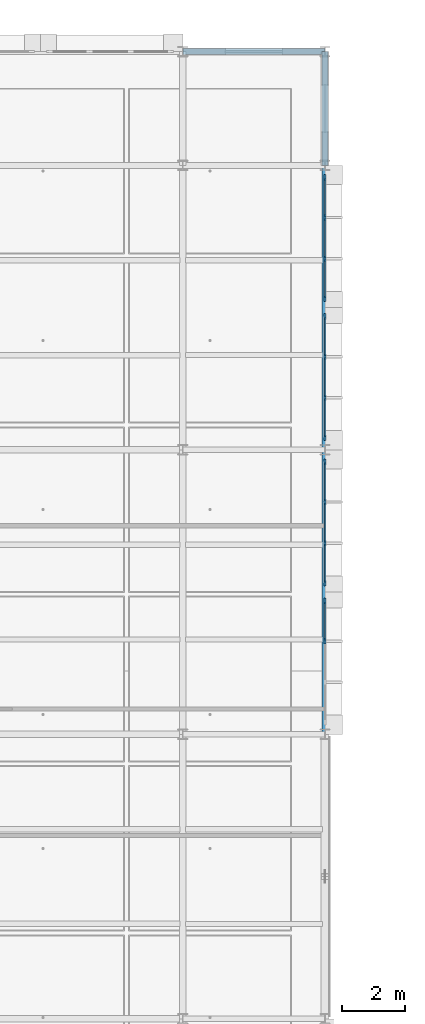
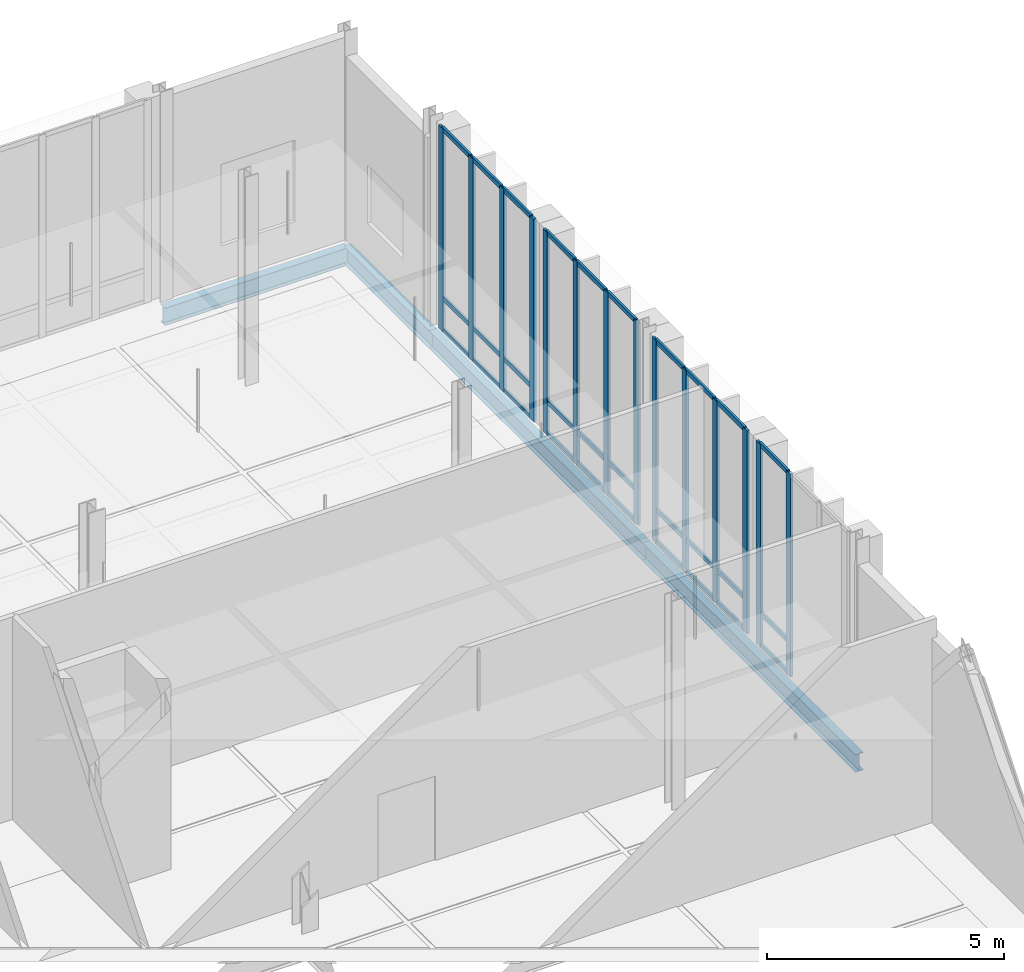
# One storey, part 69 of 180: 44 members, 4 beams, 4 elements without a shape of their own.
"""IFC4 building model written with IfcOpenShell, lengths in metres."""

from ifc_helpers import new_model, si_unit, direction, frame, origin, origin_2d, place, context, subcontext, project, spatial, rectangle, i_section, extrude, material, material_profile, profile_set, type_object, element, aggregate, save


model = new_model("IFC4")

# Units and contexts
model_context = context("Model", 3, precision=1e-05, world=origin(), true_north=direction((0.0, 1.0)))
body_context = subcontext(model_context, "Body", "Model", "MODEL_VIEW")
ifc_project = project(units=[si_unit("LENGTHUNIT", "METRE"), si_unit("AREAUNIT", "SQUARE_METRE"), si_unit("VOLUMEUNIT", "CUBIC_METRE"), si_unit("PLANEANGLEUNIT", "RADIAN"), si_unit("MASSUNIT", "GRAM", prefix="KILO"), si_unit("THERMODYNAMICTEMPERATUREUNIT", "KELVIN"), si_unit("POWERUNIT", "WATT")], contexts=[model_context])

# Site, building, storey
site_placement = place(None, origin())
site = spatial("IfcSite", under=ifc_project, at=site_placement, CompositionType="ELEMENT")
building_placement = place(site_placement, origin())
building = spatial("IfcBuilding", under=site, at=building_placement, Name="Tallowbark Science Centre", CompositionType="ELEMENT")
storey_placement = place(building_placement, origin())
storey = spatial("IfcBuildingStorey", under=building, at=storey_placement, Name="L00", CompositionType="ELEMENT", Elevation=0.0)

# Curtain wall, members
ifc_material_1 = material(Name="Unitised Thermally Broken Aluminium and Low-E Double Glazing", Category="aluminium")
curtain_wall_type = type_object("IfcCurtainWallType", Name="CW-SYS-FACADE", PredefinedType="NOTDEFINED", material=ifc_material_1)
curtain_wall_1_placement = place(storey_placement, origin())
curtain_wall_1 = element("IfcCurtainWall", 1, at=curtain_wall_1_placement, inside=storey, type_object=curtain_wall_type, Name="Unitised Curtain Wall OBS-E-90A CW-L00-108", PredefinedType="NOTDEFINED")
ifc_material_2 = material(Name="Anodised Architectural Aluminium Alloy 6063-T6", Category="aluminium")
ifc_material_profile_1 = material_profile(ifc_material_2, rectangle(XDim=0.06494140625, YDim=0.179931640625, at=origin_2d()), Name="ALU65x180")
ifc_profile_set_1 = profile_set([ifc_material_profile_1], Name="Anodised Architectural Aluminium Alloy 6063-T6")
member_type_1 = type_object("IfcMemberType", Name="CWM-MUL-220", PredefinedType="MULLION", material=ifc_profile_set_1)
member_1_placement = place(storey_placement, frame((162.0, 92.949951171875, 0.0), z_axis=(0.0, 0.0, 1.0), x_axis=(-1.0, 0.0, 0.0)))
member_1 = element("IfcMember", 2, at=member_1_placement, type_object=member_type_1, Name="CW-01 mullion 3", PredefinedType="MULLION", context=body_context, shape_type="SweptSolid", body=[
    extrude(rectangle(XDim=0.06494140625, YDim=0.179931640625, at=origin_2d()), origin(), (0.0, 0.0, 1.0), 5.219970703125),
])
member_2_placement = place(storey_placement, frame((162.0, 94.217529296875, 0.0), z_axis=(0.0, 0.0, 1.0), x_axis=(-1.0, 0.0, 0.0)))
member_2 = element("IfcMember", 3, at=member_2_placement, type_object=member_type_1, Name="CW-01 mullion 4", PredefinedType="MULLION", context=body_context, shape_type="SweptSolid", body=[
    extrude(rectangle(XDim=0.06494140625, YDim=0.179931640625, at=origin_2d()), origin(), (0.0, 0.0, 1.0), 5.219970703125),
])

curtain_wall_2_placement = place(storey_placement, origin())
curtain_wall_2 = element("IfcCurtainWall", 4, at=curtain_wall_2_placement, inside=storey, type_object=curtain_wall_type, Name="Unitised Curtain Wall OBS-E-90B CW-L00-109", PredefinedType="NOTDEFINED")
member_3_placement = place(storey_placement, frame((162.0, 94.782470703125, 0.0), z_axis=(0.0, 0.0, 1.0), x_axis=(-1.0, 0.0, 0.0)))
member_3 = element("IfcMember", 5, at=member_3_placement, type_object=member_type_1, Name="CW-01 mullion 1", PredefinedType="MULLION", context=body_context, shape_type="SweptSolid", body=[
    extrude(rectangle(XDim=0.06494140625, YDim=0.179931640625, at=origin_2d()), origin(), (0.0, 0.0, 1.0), 5.219970703125),
])
member_4_placement = place(storey_placement, frame((162.0, 96.050048828125, 0.0), z_axis=(0.0, 0.0, 1.0), x_axis=(-1.0, 0.0, 0.0)))
member_4 = element("IfcMember", 6, at=member_4_placement, type_object=member_type_1, Name="CW-01 mullion 2", PredefinedType="MULLION", context=body_context, shape_type="SweptSolid", body=[
    extrude(rectangle(XDim=0.06494140625, YDim=0.179931640625, at=origin_2d()), origin(), (0.0, 0.0, 1.0), 5.219970703125),
])
member_5_placement = place(storey_placement, frame((162.0, 97.35009765625, 0.0), z_axis=(0.0, 0.0, 1.0), x_axis=(-1.0, 0.0, 0.0)))
member_5 = element("IfcMember", 7, at=member_5_placement, type_object=member_type_1, Name="CW-01 mullion 3", PredefinedType="MULLION", context=body_context, shape_type="SweptSolid", body=[
    extrude(rectangle(XDim=0.06494140625, YDim=0.179931640625, at=origin_2d()), origin(), (0.0, 0.0, 1.0), 5.219970703125),
])
member_6_placement = place(storey_placement, frame((162.0, 98.617431640625, 0.0), z_axis=(0.0, 0.0, 1.0), x_axis=(-1.0, 0.0, 0.0)))
member_6 = element("IfcMember", 8, at=member_6_placement, type_object=member_type_1, Name="CW-01 mullion 4", PredefinedType="MULLION", context=body_context, shape_type="SweptSolid", body=[
    extrude(rectangle(XDim=0.06494140625, YDim=0.179931640625, at=origin_2d()), origin(), (0.0, 0.0, 1.0), 5.219970703125),
])

curtain_wall_3_placement = place(storey_placement, origin())
curtain_wall_3 = element("IfcCurtainWall", 9, at=curtain_wall_3_placement, inside=storey, type_object=curtain_wall_type, Name="Unitised Curtain Wall OBS-E-99A CW-L00-110", PredefinedType="NOTDEFINED")
member_7_placement = place(storey_placement, frame((162.0, 99.382568359375, 0.0), z_axis=(0.0, 0.0, 1.0), x_axis=(-1.0, 0.0, 0.0)))
member_7 = element("IfcMember", 10, at=member_7_placement, type_object=member_type_1, Name="CW-01 mullion 1", PredefinedType="MULLION", context=body_context, shape_type="SweptSolid", body=[
    extrude(rectangle(XDim=0.06494140625, YDim=0.179931640625, at=origin_2d()), origin(), (0.0, 0.0, 1.0), 5.219970703125),
])
member_8_placement = place(storey_placement, frame((162.0, 100.64990234375, 0.0), z_axis=(0.0, 0.0, 1.0), x_axis=(-1.0, 0.0, 0.0)))
member_8 = element("IfcMember", 11, at=member_8_placement, type_object=member_type_1, Name="CW-01 mullion 2", PredefinedType="MULLION", context=body_context, shape_type="SweptSolid", body=[
    extrude(rectangle(XDim=0.06494140625, YDim=0.179931640625, at=origin_2d()), origin(), (0.0, 0.0, 1.0), 5.219970703125),
])
member_9_placement = place(storey_placement, frame((162.0, 101.949951171875, 0.0), z_axis=(0.0, 0.0, 1.0), x_axis=(-1.0, 0.0, 0.0)))
member_9 = element("IfcMember", 12, at=member_9_placement, type_object=member_type_1, Name="CW-01 mullion 3", PredefinedType="MULLION", context=body_context, shape_type="SweptSolid", body=[
    extrude(rectangle(XDim=0.06494140625, YDim=0.179931640625, at=origin_2d()), origin(), (0.0, 0.0, 1.0), 5.219970703125),
])
member_10_placement = place(storey_placement, frame((162.0, 103.217529296875, 0.0), z_axis=(0.0, 0.0, 1.0), x_axis=(-1.0, 0.0, 0.0)))
member_10 = element("IfcMember", 13, at=member_10_placement, type_object=member_type_1, Name="CW-01 mullion 4", PredefinedType="MULLION", context=body_context, shape_type="SweptSolid", body=[
    extrude(rectangle(XDim=0.06494140625, YDim=0.179931640625, at=origin_2d()), origin(), (0.0, 0.0, 1.0), 5.219970703125),
])

curtain_wall_4_placement = place(storey_placement, origin())
curtain_wall_4 = element("IfcCurtainWall", 14, at=curtain_wall_4_placement, inside=storey, type_object=curtain_wall_type, Name="Unitised Curtain Wall OBS-E-99B CW-L00-111", PredefinedType="NOTDEFINED")
member_11_placement = place(storey_placement, frame((162.0, 103.782470703125, 0.0), z_axis=(0.0, 0.0, 1.0), x_axis=(-1.0, 0.0, 0.0)))
member_11 = element("IfcMember", 15, at=member_11_placement, type_object=member_type_1, Name="CW-01 mullion 1", PredefinedType="MULLION", context=body_context, shape_type="SweptSolid", body=[
    extrude(rectangle(XDim=0.06494140625, YDim=0.179931640625, at=origin_2d()), origin(), (0.0, 0.0, 1.0), 5.219970703125),
])
member_12_placement = place(storey_placement, frame((162.0, 105.050048828125, 0.0), z_axis=(0.0, 0.0, 1.0), x_axis=(-1.0, 0.0, 0.0)))
member_12 = element("IfcMember", 16, at=member_12_placement, type_object=member_type_1, Name="CW-01 mullion 2", PredefinedType="MULLION", context=body_context, shape_type="SweptSolid", body=[
    extrude(rectangle(XDim=0.06494140625, YDim=0.179931640625, at=origin_2d()), origin(), (0.0, 0.0, 1.0), 5.219970703125),
])
member_13_placement = place(storey_placement, frame((162.0, 106.35009765625, 0.0), z_axis=(0.0, 0.0, 1.0), x_axis=(-1.0, 0.0, 0.0)))
member_13 = element("IfcMember", 17, at=member_13_placement, type_object=member_type_1, Name="CW-01 mullion 3", PredefinedType="MULLION", context=body_context, shape_type="SweptSolid", body=[
    extrude(rectangle(XDim=0.06494140625, YDim=0.179931640625, at=origin_2d()), origin(), (0.0, 0.0, 1.0), 5.219970703125),
])
member_14_placement = place(storey_placement, frame((162.0, 107.617431640625, 0.0), z_axis=(0.0, 0.0, 1.0), x_axis=(-1.0, 0.0, 0.0)))
member_14 = element("IfcMember", 18, at=member_14_placement, type_object=member_type_1, Name="CW-01 mullion 4", PredefinedType="MULLION", context=body_context, shape_type="SweptSolid", body=[
    extrude(rectangle(XDim=0.06494140625, YDim=0.179931640625, at=origin_2d()), origin(), (0.0, 0.0, 1.0), 5.219970703125),
])

# Member
ifc_material_profile_2 = material_profile(ifc_material_2, rectangle(XDim=0.054931640625, YDim=0.1201171875, at=origin_2d()), Name="ALU55x120")
ifc_profile_set_2 = profile_set([ifc_material_profile_2], Name="Anodised Architectural Aluminium Alloy 6063-T6")
member_type_2 = type_object("IfcMemberType", Name="CWM-TRN-150", PredefinedType="USERDEFINED", material=ifc_profile_set_2)
member_15_placement = place(storey_placement, frame((162.0, 92.982421875, 0.027587890625), z_axis=(0.0, 1.0, 0.0), x_axis=(-1.0, 0.0, 0.0)))
member_15 = element("IfcMember", 19, at=member_15_placement, type_object=member_type_2, Name="CW-01 transom 3.1", ObjectType="TRANSOM", PredefinedType="USERDEFINED", context=body_context, shape_type="SweptSolid", body=[
    extrude(rectangle(XDim=0.054931640625, YDim=0.1201171875, at=origin_2d()), origin(), (0.0, 0.0, 1.0), 1.20263671875),
])

member_16_placement = place(storey_placement, frame((162.0, 92.982421875, 0.85009765625), z_axis=(0.0, 1.0, 0.0), x_axis=(-1.0, 0.0, 0.0)))
member_16 = element("IfcMember", 20, at=member_16_placement, type_object=member_type_2, Name="CW-01 transom 3.2", ObjectType="TRANSOM", PredefinedType="USERDEFINED", context=body_context, shape_type="SweptSolid", body=[
    extrude(rectangle(XDim=0.054931640625, YDim=0.1201171875, at=origin_2d()), origin(), (0.0, 0.0, 1.0), 1.20263671875),
])

member_17_placement = place(storey_placement, frame((162.0, 92.982421875, 5.1923828125), z_axis=(0.0, 1.0, 0.0), x_axis=(-1.0, 0.0, 0.0)))
member_17 = element("IfcMember", 21, at=member_17_placement, type_object=member_type_2, Name="CW-01 transom 3.3", ObjectType="TRANSOM", PredefinedType="USERDEFINED", context=body_context, shape_type="SweptSolid", body=[
    extrude(rectangle(XDim=0.054931640625, YDim=0.1201171875, at=origin_2d()), origin(), (0.0, 0.0, 1.0), 1.20263671875),
])

aggregate(curtain_wall_1, [member_1, member_2, member_15, member_16, member_17])

member_18_placement = place(storey_placement, frame((162.0, 94.81494140625, 0.027587890625), z_axis=(0.0, 1.0, 0.0), x_axis=(-1.0, 0.0, 0.0)))
member_18 = element("IfcMember", 22, at=member_18_placement, type_object=member_type_2, Name="CW-01 transom 1.1", ObjectType="TRANSOM", PredefinedType="USERDEFINED", context=body_context, shape_type="SweptSolid", body=[
    extrude(rectangle(XDim=0.054931640625, YDim=0.1201171875, at=origin_2d()), origin(), (0.0, 0.0, 1.0), 1.20263671875),
])

member_19_placement = place(storey_placement, frame((162.0, 94.81494140625, 0.85009765625), z_axis=(0.0, 1.0, 0.0), x_axis=(-1.0, 0.0, 0.0)))
member_19 = element("IfcMember", 23, at=member_19_placement, type_object=member_type_2, Name="CW-01 transom 1.2", ObjectType="TRANSOM", PredefinedType="USERDEFINED", context=body_context, shape_type="SweptSolid", body=[
    extrude(rectangle(XDim=0.054931640625, YDim=0.1201171875, at=origin_2d()), origin(), (0.0, 0.0, 1.0), 1.20263671875),
])

member_20_placement = place(storey_placement, frame((162.0, 94.81494140625, 5.1923828125), z_axis=(0.0, 1.0, 0.0), x_axis=(-1.0, 0.0, 0.0)))
member_20 = element("IfcMember", 24, at=member_20_placement, type_object=member_type_2, Name="CW-01 transom 1.3", ObjectType="TRANSOM", PredefinedType="USERDEFINED", context=body_context, shape_type="SweptSolid", body=[
    extrude(rectangle(XDim=0.054931640625, YDim=0.1201171875, at=origin_2d()), origin(), (0.0, 0.0, 1.0), 1.20263671875),
])

member_21_placement = place(storey_placement, frame((162.0, 96.08251953125, 0.027587890625), z_axis=(0.0, 1.0, 0.0), x_axis=(-1.0, 0.0, 0.0)))
member_21 = element("IfcMember", 25, at=member_21_placement, type_object=member_type_2, Name="CW-01 transom 2.1", ObjectType="TRANSOM", PredefinedType="USERDEFINED", context=body_context, shape_type="SweptSolid", body=[
    extrude(rectangle(XDim=0.054931640625, YDim=0.1201171875, at=origin_2d()), origin(), (0.0, 0.0, 1.0), 1.23486328125),
])

member_22_placement = place(storey_placement, frame((162.0, 96.08251953125, 0.85009765625), z_axis=(0.0, 1.0, 0.0), x_axis=(-1.0, 0.0, 0.0)))
member_22 = element("IfcMember", 26, at=member_22_placement, type_object=member_type_2, Name="CW-01 transom 2.2", ObjectType="TRANSOM", PredefinedType="USERDEFINED", context=body_context, shape_type="SweptSolid", body=[
    extrude(rectangle(XDim=0.054931640625, YDim=0.1201171875, at=origin_2d()), origin(), (0.0, 0.0, 1.0), 1.23486328125),
])

member_23_placement = place(storey_placement, frame((162.0, 96.08251953125, 5.1923828125), z_axis=(0.0, 1.0, 0.0), x_axis=(-1.0, 0.0, 0.0)))
member_23 = element("IfcMember", 27, at=member_23_placement, type_object=member_type_2, Name="CW-01 transom 2.3", ObjectType="TRANSOM", PredefinedType="USERDEFINED", context=body_context, shape_type="SweptSolid", body=[
    extrude(rectangle(XDim=0.054931640625, YDim=0.1201171875, at=origin_2d()), origin(), (0.0, 0.0, 1.0), 1.23486328125),
])

member_24_placement = place(storey_placement, frame((162.0, 97.382568359375, 0.027587890625), z_axis=(0.0, 1.0, 0.0), x_axis=(-1.0, 0.0, 0.0)))
member_24 = element("IfcMember", 28, at=member_24_placement, type_object=member_type_2, Name="CW-01 transom 3.1", ObjectType="TRANSOM", PredefinedType="USERDEFINED", context=body_context, shape_type="SweptSolid", body=[
    extrude(rectangle(XDim=0.054931640625, YDim=0.1201171875, at=origin_2d()), origin(), (0.0, 0.0, 1.0), 1.202392578125),
])

member_25_placement = place(storey_placement, frame((162.0, 97.382568359375, 0.85009765625), z_axis=(0.0, 1.0, 0.0), x_axis=(-1.0, 0.0, 0.0)))
member_25 = element("IfcMember", 29, at=member_25_placement, type_object=member_type_2, Name="CW-01 transom 3.2", ObjectType="TRANSOM", PredefinedType="USERDEFINED", context=body_context, shape_type="SweptSolid", body=[
    extrude(rectangle(XDim=0.054931640625, YDim=0.1201171875, at=origin_2d()), origin(), (0.0, 0.0, 1.0), 1.202392578125),
])

member_26_placement = place(storey_placement, frame((162.0, 97.382568359375, 5.1923828125), z_axis=(0.0, 1.0, 0.0), x_axis=(-1.0, 0.0, 0.0)))
member_26 = element("IfcMember", 30, at=member_26_placement, type_object=member_type_2, Name="CW-01 transom 3.3", ObjectType="TRANSOM", PredefinedType="USERDEFINED", context=body_context, shape_type="SweptSolid", body=[
    extrude(rectangle(XDim=0.054931640625, YDim=0.1201171875, at=origin_2d()), origin(), (0.0, 0.0, 1.0), 1.202392578125),
])

aggregate(curtain_wall_2, [member_3, member_4, member_5, member_6, member_18, member_19, member_20, member_21, member_22, member_23, member_24, member_25, member_26])

member_27_placement = place(storey_placement, frame((162.0, 99.4150390625, 0.027587890625), z_axis=(0.0, 1.0, 0.0), x_axis=(-1.0, 0.0, 0.0)))
member_27 = element("IfcMember", 31, at=member_27_placement, type_object=member_type_2, Name="CW-01 transom 1.1", ObjectType="TRANSOM", PredefinedType="USERDEFINED", context=body_context, shape_type="SweptSolid", body=[
    extrude(rectangle(XDim=0.054931640625, YDim=0.1201171875, at=origin_2d()), origin(), (0.0, 0.0, 1.0), 1.202392578125),
])

member_28_placement = place(storey_placement, frame((162.0, 99.4150390625, 0.85009765625), z_axis=(0.0, 1.0, 0.0), x_axis=(-1.0, 0.0, 0.0)))
member_28 = element("IfcMember", 32, at=member_28_placement, type_object=member_type_2, Name="CW-01 transom 1.2", ObjectType="TRANSOM", PredefinedType="USERDEFINED", context=body_context, shape_type="SweptSolid", body=[
    extrude(rectangle(XDim=0.054931640625, YDim=0.1201171875, at=origin_2d()), origin(), (0.0, 0.0, 1.0), 1.202392578125),
])

member_29_placement = place(storey_placement, frame((162.0, 99.4150390625, 5.1923828125), z_axis=(0.0, 1.0, 0.0), x_axis=(-1.0, 0.0, 0.0)))
member_29 = element("IfcMember", 33, at=member_29_placement, type_object=member_type_2, Name="CW-01 transom 1.3", ObjectType="TRANSOM", PredefinedType="USERDEFINED", context=body_context, shape_type="SweptSolid", body=[
    extrude(rectangle(XDim=0.054931640625, YDim=0.1201171875, at=origin_2d()), origin(), (0.0, 0.0, 1.0), 1.202392578125),
])

member_30_placement = place(storey_placement, frame((162.0, 100.6826171875, 0.027587890625), z_axis=(0.0, 1.0, 0.0), x_axis=(-1.0, 0.0, 0.0)))
member_30 = element("IfcMember", 34, at=member_30_placement, type_object=member_type_2, Name="CW-01 transom 2.1", ObjectType="TRANSOM", PredefinedType="USERDEFINED", context=body_context, shape_type="SweptSolid", body=[
    extrude(rectangle(XDim=0.054931640625, YDim=0.1201171875, at=origin_2d()), origin(), (0.0, 0.0, 1.0), 1.23486328125),
])

member_31_placement = place(storey_placement, frame((162.0, 100.6826171875, 0.85009765625), z_axis=(0.0, 1.0, 0.0), x_axis=(-1.0, 0.0, 0.0)))
member_31 = element("IfcMember", 35, at=member_31_placement, type_object=member_type_2, Name="CW-01 transom 2.2", ObjectType="TRANSOM", PredefinedType="USERDEFINED", context=body_context, shape_type="SweptSolid", body=[
    extrude(rectangle(XDim=0.054931640625, YDim=0.1201171875, at=origin_2d()), origin(), (0.0, 0.0, 1.0), 1.23486328125),
])

member_32_placement = place(storey_placement, frame((162.0, 100.6826171875, 5.1923828125), z_axis=(0.0, 1.0, 0.0), x_axis=(-1.0, 0.0, 0.0)))
member_32 = element("IfcMember", 36, at=member_32_placement, type_object=member_type_2, Name="CW-01 transom 2.3", ObjectType="TRANSOM", PredefinedType="USERDEFINED", context=body_context, shape_type="SweptSolid", body=[
    extrude(rectangle(XDim=0.054931640625, YDim=0.1201171875, at=origin_2d()), origin(), (0.0, 0.0, 1.0), 1.23486328125),
])

member_33_placement = place(storey_placement, frame((162.0, 101.982421875, 0.027587890625), z_axis=(0.0, 1.0, 0.0), x_axis=(-1.0, 0.0, 0.0)))
member_33 = element("IfcMember", 37, at=member_33_placement, type_object=member_type_2, Name="CW-01 transom 3.1", ObjectType="TRANSOM", PredefinedType="USERDEFINED", context=body_context, shape_type="SweptSolid", body=[
    extrude(rectangle(XDim=0.054931640625, YDim=0.1201171875, at=origin_2d()), origin(), (0.0, 0.0, 1.0), 1.20263671875),
])

member_34_placement = place(storey_placement, frame((162.0, 101.982421875, 0.85009765625), z_axis=(0.0, 1.0, 0.0), x_axis=(-1.0, 0.0, 0.0)))
member_34 = element("IfcMember", 38, at=member_34_placement, type_object=member_type_2, Name="CW-01 transom 3.2", ObjectType="TRANSOM", PredefinedType="USERDEFINED", context=body_context, shape_type="SweptSolid", body=[
    extrude(rectangle(XDim=0.054931640625, YDim=0.1201171875, at=origin_2d()), origin(), (0.0, 0.0, 1.0), 1.20263671875),
])

member_35_placement = place(storey_placement, frame((162.0, 101.982421875, 5.1923828125), z_axis=(0.0, 1.0, 0.0), x_axis=(-1.0, 0.0, 0.0)))
member_35 = element("IfcMember", 39, at=member_35_placement, type_object=member_type_2, Name="CW-01 transom 3.3", ObjectType="TRANSOM", PredefinedType="USERDEFINED", context=body_context, shape_type="SweptSolid", body=[
    extrude(rectangle(XDim=0.054931640625, YDim=0.1201171875, at=origin_2d()), origin(), (0.0, 0.0, 1.0), 1.20263671875),
])

aggregate(curtain_wall_3, [member_7, member_8, member_9, member_10, member_27, member_28, member_29, member_30, member_31, member_32, member_33, member_34, member_35])

member_36_placement = place(storey_placement, frame((162.0, 103.81494140625, 0.027587890625), z_axis=(0.0, 1.0, 0.0), x_axis=(-1.0, 0.0, 0.0)))
member_36 = element("IfcMember", 40, at=member_36_placement, type_object=member_type_2, Name="CW-01 transom 1.1", ObjectType="TRANSOM", PredefinedType="USERDEFINED", context=body_context, shape_type="SweptSolid", body=[
    extrude(rectangle(XDim=0.054931640625, YDim=0.1201171875, at=origin_2d()), origin(), (0.0, 0.0, 1.0), 1.20263671875),
])

member_37_placement = place(storey_placement, frame((162.0, 103.81494140625, 0.85009765625), z_axis=(0.0, 1.0, 0.0), x_axis=(-1.0, 0.0, 0.0)))
member_37 = element("IfcMember", 41, at=member_37_placement, type_object=member_type_2, Name="CW-01 transom 1.2", ObjectType="TRANSOM", PredefinedType="USERDEFINED", context=body_context, shape_type="SweptSolid", body=[
    extrude(rectangle(XDim=0.054931640625, YDim=0.1201171875, at=origin_2d()), origin(), (0.0, 0.0, 1.0), 1.20263671875),
])

member_38_placement = place(storey_placement, frame((162.0, 103.81494140625, 5.1923828125), z_axis=(0.0, 1.0, 0.0), x_axis=(-1.0, 0.0, 0.0)))
member_38 = element("IfcMember", 42, at=member_38_placement, type_object=member_type_2, Name="CW-01 transom 1.3", ObjectType="TRANSOM", PredefinedType="USERDEFINED", context=body_context, shape_type="SweptSolid", body=[
    extrude(rectangle(XDim=0.054931640625, YDim=0.1201171875, at=origin_2d()), origin(), (0.0, 0.0, 1.0), 1.20263671875),
])

member_39_placement = place(storey_placement, frame((162.0, 105.08251953125, 0.027587890625), z_axis=(0.0, 1.0, 0.0), x_axis=(-1.0, 0.0, 0.0)))
member_39 = element("IfcMember", 43, at=member_39_placement, type_object=member_type_2, Name="CW-01 transom 2.1", ObjectType="TRANSOM", PredefinedType="USERDEFINED", context=body_context, shape_type="SweptSolid", body=[
    extrude(rectangle(XDim=0.054931640625, YDim=0.1201171875, at=origin_2d()), origin(), (0.0, 0.0, 1.0), 1.23486328125),
])

member_40_placement = place(storey_placement, frame((162.0, 105.08251953125, 0.85009765625), z_axis=(0.0, 1.0, 0.0), x_axis=(-1.0, 0.0, 0.0)))
member_40 = element("IfcMember", 44, at=member_40_placement, type_object=member_type_2, Name="CW-01 transom 2.2", ObjectType="TRANSOM", PredefinedType="USERDEFINED", context=body_context, shape_type="SweptSolid", body=[
    extrude(rectangle(XDim=0.054931640625, YDim=0.1201171875, at=origin_2d()), origin(), (0.0, 0.0, 1.0), 1.23486328125),
])

member_41_placement = place(storey_placement, frame((162.0, 105.08251953125, 5.1923828125), z_axis=(0.0, 1.0, 0.0), x_axis=(-1.0, 0.0, 0.0)))
member_41 = element("IfcMember", 45, at=member_41_placement, type_object=member_type_2, Name="CW-01 transom 2.3", ObjectType="TRANSOM", PredefinedType="USERDEFINED", context=body_context, shape_type="SweptSolid", body=[
    extrude(rectangle(XDim=0.054931640625, YDim=0.1201171875, at=origin_2d()), origin(), (0.0, 0.0, 1.0), 1.23486328125),
])

member_42_placement = place(storey_placement, frame((162.0, 106.382568359375, 0.027587890625), z_axis=(0.0, 1.0, 0.0), x_axis=(-1.0, 0.0, 0.0)))
member_42 = element("IfcMember", 46, at=member_42_placement, type_object=member_type_2, Name="CW-01 transom 3.1", ObjectType="TRANSOM", PredefinedType="USERDEFINED", context=body_context, shape_type="SweptSolid", body=[
    extrude(rectangle(XDim=0.054931640625, YDim=0.1201171875, at=origin_2d()), origin(), (0.0, 0.0, 1.0), 1.202392578125),
])

member_43_placement = place(storey_placement, frame((162.0, 106.382568359375, 0.85009765625), z_axis=(0.0, 1.0, 0.0), x_axis=(-1.0, 0.0, 0.0)))
member_43 = element("IfcMember", 47, at=member_43_placement, type_object=member_type_2, Name="CW-01 transom 3.2", ObjectType="TRANSOM", PredefinedType="USERDEFINED", context=body_context, shape_type="SweptSolid", body=[
    extrude(rectangle(XDim=0.054931640625, YDim=0.1201171875, at=origin_2d()), origin(), (0.0, 0.0, 1.0), 1.202392578125),
])

member_44_placement = place(storey_placement, frame((162.0, 106.382568359375, 5.1923828125), z_axis=(0.0, 1.0, 0.0), x_axis=(-1.0, 0.0, 0.0)))
member_44 = element("IfcMember", 48, at=member_44_placement, type_object=member_type_2, Name="CW-01 transom 3.3", ObjectType="TRANSOM", PredefinedType="USERDEFINED", context=body_context, shape_type="SweptSolid", body=[
    extrude(rectangle(XDim=0.054931640625, YDim=0.1201171875, at=origin_2d()), origin(), (0.0, 0.0, 1.0), 1.202392578125),
])

aggregate(curtain_wall_4, [member_11, member_12, member_13, member_14, member_36, member_37, member_38, member_39, member_40, member_41, member_42, member_43, member_44])

# Beams
ifc_material_3 = material(Name="Structural Steel Grade 300PLUS (300 MPa)", Category="steel")
ifc_material_profile_3 = material_profile(ifc_material_3, i_section(OverallWidth=0.18994140625, OverallDepth=0.453857421875, WebThickness=0.008544921875, FlangeThickness=0.0126953125, FilletRadius=0.011474609375, at=origin_2d()), Name="460UB67.1")
ifc_profile_set_3 = profile_set([ifc_material_profile_3], Name="Structural Steel Grade 300PLUS (300 MPa)")
beam_type = type_object("IfcBeamType", Name="SPN-UB460", PredefinedType="SPANDREL", material=ifc_profile_set_3)
beam_1_placement = place(storey_placement, frame((157.5, 111.60009765625, -0.466796875), z_axis=(1.0, 0.0, 0.0), x_axis=(0.0, 1.0, 0.0)))
element("IfcBeam", 49, at=beam_1_placement, inside=storey, type_object=beam_type, Name="Primary Girder GRDX-L00-1575-1620-1116", PredefinedType="SPANDREL", context=body_context, shape_type="SweptSolid", body=[
    extrude(i_section(OverallWidth=0.18994140625, OverallDepth=0.453857421875, WebThickness=0.008544921875, FlangeThickness=0.0126953125, FilletRadius=0.011474609375, at=origin_2d()), origin(), (0.0, 0.0, 1.0), 4.5),
])
for number, where, z_axis, x_axis, name in (
    (50, (162.0, 90.0, -0.466796875), (0.0, 1.0, 0.0), (-1.0, 0.0, 0.0), "Primary Girder GRDY-L00-1620-900-990"),
    (51, (162.0, 99.0, -0.466796875), (0.0, 1.0, 0.0), (-1.0, 0.0, 0.0), "Primary Girder GRDY-L00-1620-990-1080"),
):
    element("IfcBeam", number, at=place(storey_placement, frame(where, z_axis=z_axis, x_axis=x_axis)), inside=storey, type_object=beam_type, Name=name, PredefinedType="SPANDREL", context=body_context, shape_type="SweptSolid", body=[
        extrude(i_section(OverallWidth=0.18994140625, OverallDepth=0.453857421875, WebThickness=0.008544921875, FlangeThickness=0.0126953125, FilletRadius=0.011474609375, at=origin_2d()), origin(), (0.0, 0.0, 1.0), 9.0),
    ])
beam_2_placement = place(storey_placement, frame((162.0, 108.0, -0.466796875), z_axis=(0.0, 1.0, 0.0), x_axis=(-1.0, 0.0, 0.0)))
element("IfcBeam", 52, at=beam_2_placement, inside=storey, type_object=beam_type, Name="Primary Girder GRDY-L00-1620-1080-1116", PredefinedType="SPANDREL", context=body_context, shape_type="SweptSolid", body=[
    extrude(i_section(OverallWidth=0.18994140625, OverallDepth=0.453857421875, WebThickness=0.008544921875, FlangeThickness=0.0126953125, FilletRadius=0.011474609375, at=origin_2d()), origin(), (0.0, 0.0, 1.0), 3.60009765625),
])

save(model, "model.ifc")
